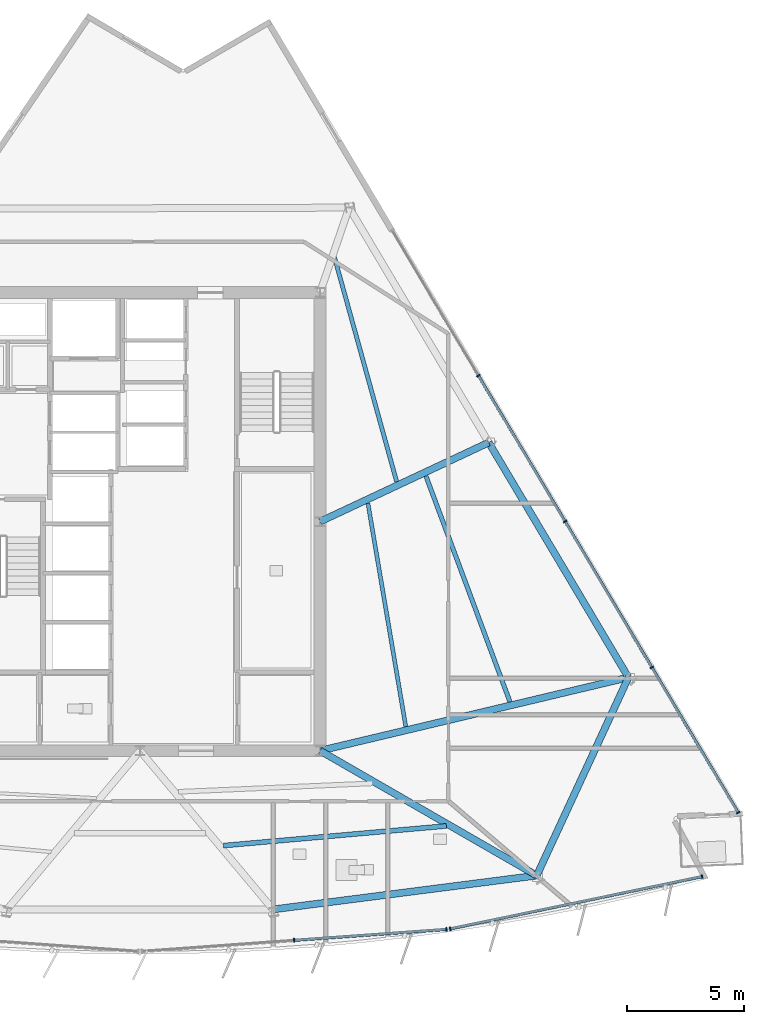
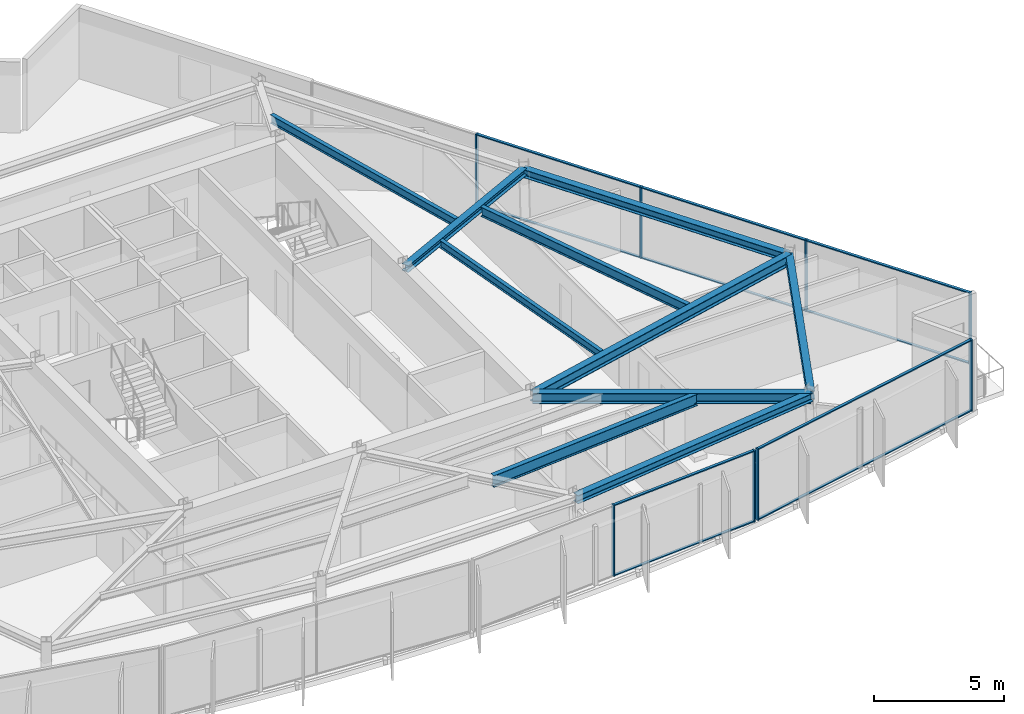
# One storey, part 5 of 15: 18 members, 10 beams, 3 elements without a shape of their own.
"""IFC4 building model written with IfcOpenShell, lengths in metres."""

import ifcopenshell
import ifcopenshell.guid

model = None  # the IFC model being written
_history = None  # IfcOwnerHistory: only IFC2X3 demands one
_inside = {}  # id of a spatial element -> (the spatial element, [elements in it])
_under = {}  # id of a project, library or spatial element -> (it, [spatial elements below it])
_declared = {}  # id of a project -> (the project, [libraries it declares])
_typed = {}  # id of a type object -> (the type object, [elements of that type])
_made_of = {}  # id of a material, layer set ... -> (it, [elements and type objects made of it])


def new_model(schema):
    """Start an empty IFC model of exactly this schema.

    Asked for "IFC4X3", IfcOpenShell would pick the latest addendum, in which some entities
    have other attributes; the version numbers below select the first issue.
    IFC2X3 requires an IfcOwnerHistory on every rooted entity: one is made here for all.
    """
    global model, _history
    if schema == "IFC4X3":
        model = ifcopenshell.file(schema_version=(4, 3, 0, 0))
    else:
        model = ifcopenshell.file(schema=schema)
    _inside.clear()
    _under.clear()
    _declared.clear()
    _typed.clear()
    _made_of.clear()
    _history = None
    if model.schema == "IFC2X3":
        org = make("IfcOrganization", Name="unknown")
        user = make(
            "IfcPersonAndOrganization",
            ThePerson=make("IfcPerson", FamilyName="unknown"),
            TheOrganization=org,
        )
        app = make(
            "IfcApplication",
            ApplicationDeveloper=org,
            Version="unknown",
            ApplicationFullName="unknown",
            ApplicationIdentifier="unknown",
        )
        _history = make(
            "IfcOwnerHistory",
            OwningUser=user,
            OwningApplication=app,
            ChangeAction="ADDED",
            CreationDate=0,
        )
    return model


def make(cls, **values):
    """One entity of the class cls with the attributes given. An attribute that is None is left unset."""
    return model.create_entity(
        cls, **{name: value for name, value in values.items() if value is not None}
    )


def rooted(cls, **values):
    """An entity with a GlobalId (a new one), such as an element, a storey or a relation."""
    return make(cls, GlobalId=ifcopenshell.guid.new(), OwnerHistory=_history, **values)


def si_unit(unit_type, name, prefix=None):
    """IfcSIUnit, for example si_unit("LENGTHUNIT", "METRE", prefix="MILLI")."""
    return make("IfcSIUnit", UnitType=unit_type, Prefix=prefix, Name=name)


def assignment(units):
    """IfcUnitAssignment: the units of a project."""
    return None if units is None else make("IfcUnitAssignment", Units=units)


def point(xyz):
    """IfcCartesianPoint."""
    return None if xyz is None else make("IfcCartesianPoint", Coordinates=xyz)


def direction(xyz):
    """IfcDirection."""
    return None if xyz is None else make("IfcDirection", DirectionRatios=xyz)


def frame(location, z_axis=None, x_axis=None):
    """IfcAxis2Placement3D, a coordinate frame: its origin and axes. An axis left out is left unset."""
    return make(
        "IfcAxis2Placement3D",
        Location=point(location),
        Axis=direction(z_axis),
        RefDirection=direction(x_axis),
    )


def frame_2d(location, x_axis=None):
    """IfcAxis2Placement2D, a coordinate frame in the plane: its origin and x axis."""
    return make(
        "IfcAxis2Placement2D", Location=point(location), RefDirection=direction(x_axis)
    )


def origin():
    """The frame at (0, 0, 0) with its axes left unset."""
    return frame((0.0, 0.0, 0.0))


def origin_2d():
    """The frame at (0, 0) in the plane with its x axis left unset."""
    return frame_2d((0.0, 0.0))


def place(relative_to, where):
    """IfcLocalPlacement: puts the frame where relative to a parent placement (None: the world)."""
    return make(
        "IfcLocalPlacement", PlacementRelTo=relative_to, RelativePlacement=where
    )


def context(
    kind, dimensions, precision=None, world=None, true_north=None, identifier=None
):
    """IfcGeometricRepresentationContext, for example the 3D "Model" context."""
    return make(
        "IfcGeometricRepresentationContext",
        ContextIdentifier=identifier,
        ContextType=kind,
        CoordinateSpaceDimension=dimensions,
        Precision=precision,
        WorldCoordinateSystem=world,
        TrueNorth=true_north,
    )


def subcontext(parent, identifier, kind, view, scale=None):
    """IfcGeometricRepresentationSubContext, for example "Body" below "Model"."""
    return make(
        "IfcGeometricRepresentationSubContext",
        ContextIdentifier=identifier,
        ContextType=kind,
        ParentContext=parent,
        TargetScale=scale,
        TargetView=view,
    )


def project(units=None, contexts=None):
    """IfcProject with its units and contexts."""
    return rooted(
        "IfcProject",
        Name="project",
        RepresentationContexts=contexts,
        UnitsInContext=assignment(units),
    )


def spatial(cls, under=None, at=None, **own):
    """A site, building, storey or space (cls), placed at a placement, below another one or the project."""
    s = rooted(cls, ObjectPlacement=at, **own)
    if under is not None:
        _under.setdefault(under.id(), (under, []))[1].append(s)
    return s


def profile(cls, at=None, kind="AREA", **sizes):
    """A parametric profile (cls). Its sizes go by their IFC names, for example OverallWidth=200.0."""
    return make(cls, ProfileType=kind, Position=at, **sizes)


def rectangle(**sizes):
    """IfcRectangleProfileDef."""
    return profile("IfcRectangleProfileDef", **sizes)


def i_section(**sizes):
    """IfcIShapeProfileDef."""
    return profile("IfcIShapeProfileDef", **sizes)


def extrude(swept, where, along, depth):
    """IfcExtrudedAreaSolid: the profile swept, set in the frame where, extruded along a direction by depth."""
    return make(
        "IfcExtrudedAreaSolid",
        SweptArea=swept,
        Position=where,
        ExtrudedDirection=direction(along),
        Depth=depth,
    )


def shape(context_of_items, identifier, shape_type, items):
    """IfcShapeRepresentation: the items that make up one representation, for example the "Body"."""
    return make(
        "IfcShapeRepresentation",
        ContextOfItems=context_of_items,
        RepresentationIdentifier=identifier,
        RepresentationType=shape_type,
        Items=items,
    )


def material(Name=None, Category=None):
    """IfcMaterial."""
    return make("IfcMaterial", Name=Name, Category=Category)


def material_profile(
    of_material, cross_section, Name=None, Category=None, Priority=None
):
    """IfcMaterialProfile: a cross section and its material."""
    return make(
        "IfcMaterialProfile",
        Name=Name,
        Material=of_material,
        Profile=cross_section,
        Priority=Priority,
        Category=Category,
    )


def profile_set(profiles, Name=None, composite=None):
    """IfcMaterialProfileSet."""
    return make(
        "IfcMaterialProfileSet",
        Name=Name,
        MaterialProfiles=profiles,
        CompositeProfile=composite,
    )


def made_of(thing, what):
    """Note that an element or type object is made of a material, layer set ...; save() writes the relation."""
    if what is not None:
        _made_of.setdefault(what.id(), (what, []))[1].append(thing)
    return thing


def type_object(cls, material=None, **own):
    """A type object (cls), such as IfcWallType, which elements share."""
    return made_of(rooted(cls, **own), material)


def element(
    cls,
    number,
    at=None,
    inside=None,
    cuts=None,
    type_object=None,
    material=None,
    context=None,
    identifier="Body",
    shape_type=None,
    held_by="IfcProductDefinitionShape",
    body=None,
    shapes=None,
    **own,
):
    """One element of the class cls, such as IfcWall. Its Tag is "e" and its number.

    at: its placement. inside: the storey or other place that contains it. cuts: it is an
    opening in that element (IfcRelVoidsElement). A single representation is given by context,
    identifier, shape_type and body (its items); several are given by shapes. held_by: the class
    of the entity that holds the representations. save() writes the other relations.
    """
    e = rooted(cls, Tag="e%d" % number, ObjectPlacement=at, **own)
    if body is not None:
        shapes = [shape(context, identifier, shape_type, body)]
    if shapes is not None:
        e.Representation = make(held_by, Representations=shapes)
    if inside is not None:
        _inside.setdefault(inside.id(), (inside, []))[1].append(e)
    if cuts is not None:
        rooted(
            "IfcRelVoidsElement", RelatingBuildingElement=cuts, RelatedOpeningElement=e
        )
    if type_object is not None:
        _typed.setdefault(type_object.id(), (type_object, []))[1].append(e)
    return made_of(e, material)


def aggregate(whole, parts):
    """IfcRelAggregates: a whole, such as a stair, and the parts it consists of."""
    return rooted("IfcRelAggregates", RelatingObject=whole, RelatedObjects=parts)


def save(model, path):
    """Write the relations noted so far, then the file.

    IfcRelAggregates (storeys below a building ...), IfcRelContainedInSpatialStructure (elements
    in a storey), IfcRelDefinesByType, IfcRelAssociatesMaterial and IfcRelDeclares: one each for
    every whole, place, type object, material and project.
    """
    for whole, parts in _under.values():
        aggregate(whole, parts)
    for where, things in _inside.values():
        rooted(
            "IfcRelContainedInSpatialStructure",
            RelatedElements=things,
            RelatingStructure=where,
        )
    for kind, things in _typed.values():
        rooted("IfcRelDefinesByType", RelatedObjects=things, RelatingType=kind)
    for what, things in _made_of.values():
        rooted("IfcRelAssociatesMaterial", RelatedObjects=things, RelatingMaterial=what)
    for by, libraries in _declared.values():
        rooted("IfcRelDeclares", RelatingContext=by, RelatedDefinitions=libraries)
    model.write(path)


model = new_model("IFC4")

# Units and contexts
model_context = context("Model", 3, precision=1e-05, world=origin(), true_north=direction((0.0, 1.0)))
body_context = subcontext(model_context, "Body", "Model", "MODEL_VIEW")
ifc_project = project(units=[si_unit("LENGTHUNIT", "METRE"), si_unit("AREAUNIT", "SQUARE_METRE"), si_unit("VOLUMEUNIT", "CUBIC_METRE"), si_unit("PLANEANGLEUNIT", "RADIAN"), si_unit("MASSUNIT", "GRAM", prefix="KILO")], contexts=[model_context])

# Site, building, storey
site_placement = place(None, origin())
site = spatial("IfcSite", under=ifc_project, at=site_placement, CompositionType="ELEMENT")
building_placement = place(site_placement, origin())
building = spatial("IfcBuilding", under=site, at=building_placement, Name="Savorim Split Tower", CompositionType="ELEMENT")
storey_placement = place(building_placement, frame((0.0, 0.0, 194.699951171875)))
storey = spatial("IfcBuildingStorey", under=building, at=storey_placement, Name="L51", CompositionType="ELEMENT", Elevation=194.699951171875)

# Beams
ifc_material_1 = material(Name="Steel S355", Category="steel")
ifc_material_profile_1 = material_profile(ifc_material_1, i_section(OverallWidth=0.169921875, OverallDepth=0.360107421875, WebThickness=0.008056640625, FlangeThickness=0.0126953125, FilletRadius=0.01806640625, at=origin_2d()), Name="IPE 360")
ifc_profile_set_1 = profile_set([ifc_material_profile_1], Name="Steel S355")
beam_type_1 = type_object("IfcBeamType", Name="BM-JST-IPE360", PredefinedType="JOIST", material=ifc_profile_set_1)
beam_1_placement = place(storey_placement, frame((11.366455078125, -8.3642578125, 3.170166015625), z_axis=(-0.167119438105, 0.985936657908, 0.0), x_axis=(-0.985936657908, -0.167119438105, 0.0)))
element("IfcBeam", 1, at=beam_1_placement, inside=storey, type_object=beam_type_1, Name="L51 Secondary Floor Joist JS-08", PredefinedType="JOIST", context=body_context, shape_type="SweptSolid", body=[
    extrude(i_section(OverallWidth=0.169921875, OverallDepth=0.360107421875, WebThickness=0.008056640625, FlangeThickness=0.0126953125, FilletRadius=0.01806640625, at=origin_2d()), origin(), (0.0, 0.0, 1.0), 9.68994140625),
])
ifc_material_profile_2 = material_profile(ifc_material_1, i_section(OverallWidth=0.179931640625, OverallDepth=0.39990234375, WebThickness=0.008544921875, FlangeThickness=0.013427734375, FilletRadius=0.02099609375, at=origin_2d()), Name="IPE 400")
ifc_profile_set_2 = profile_set([ifc_material_profile_2], Name="Steel S355")
beam_type_2 = type_object("IfcBeamType", Name="BM-JST-IPE400", PredefinedType="JOIST", material=ifc_profile_set_2)
beam_2_placement = place(storey_placement, frame((10.9765625, 2.110107421875, 3.150146484375), z_axis=(-0.267135971284, 0.963658846712, 0.0), x_axis=(-0.963658846712, -0.267135971284, 0.0)))
element("IfcBeam", 2, at=beam_2_placement, inside=storey, type_object=beam_type_2, Name="L51 Secondary Floor Joist JS-07", PredefinedType="JOIST", context=body_context, shape_type="SweptSolid", body=[
    extrude(i_section(OverallWidth=0.179931640625, OverallDepth=0.39990234375, WebThickness=0.008544921875, FlangeThickness=0.013427734375, FilletRadius=0.02099609375, at=origin_2d()), origin(), (0.0, 0.0, 1.0), 9.96728515625),
])
ifc_material_profile_3 = material_profile(ifc_material_1, i_section(OverallWidth=0.18994140625, OverallDepth=0.449951171875, WebThickness=0.009521484375, FlangeThickness=0.0146484375, FilletRadius=0.02099609375, at=origin_2d()), Name="IPE 450")
ifc_profile_set_3 = profile_set([ifc_material_profile_3], Name="Steel S355")
beam_type_3 = type_object("IfcBeamType", Name="BM-JST-IPE450", PredefinedType="JOIST", material=ifc_profile_set_3)
beam_3_placement = place(storey_placement, frame((15.822021484375, -7.305908203125, 3.125), z_axis=(-0.348792299296, 0.937200049057, 0.0), x_axis=(-0.937200049057, -0.348792299296, 0.0)))
element("IfcBeam", 3, at=beam_3_placement, inside=storey, type_object=beam_type_3, Name="L51 Secondary Floor Joist JS-06", PredefinedType="JOIST", context=body_context, shape_type="SweptSolid", body=[
    extrude(i_section(OverallWidth=0.18994140625, OverallDepth=0.449951171875, WebThickness=0.009521484375, FlangeThickness=0.0146484375, FilletRadius=0.02099609375, at=origin_2d()), origin(), (0.0, 0.0, 1.0), 10.2998046875),
])
ifc_material_profile_4 = material_profile(ifc_material_1, i_section(OverallWidth=0.2099609375, OverallDepth=0.550048828125, WebThickness=0.010986328125, FlangeThickness=0.01708984375, FilletRadius=0.02392578125, at=origin_2d()), Name="IPE 550")
ifc_profile_set_4 = profile_set([ifc_material_profile_4], Name="Steel S355")
beam_type_4 = type_object("IfcBeamType", Name="BM-JST-IPE550", PredefinedType="JOIST", material=ifc_profile_set_4)
beam_4_placement = place(storey_placement, frame((3.571533203125, -13.458984375, 3.074951171875), z_axis=(0.996130441428, 0.087887107475, 0.0), x_axis=(-0.087887107475, 0.996130441428, 0.0)))
element("IfcBeam", 4, at=beam_4_placement, inside=storey, type_object=beam_type_4, Name="L51 Secondary Floor Joist JS-04", PredefinedType="JOIST", context=body_context, shape_type="SweptSolid", body=[
    extrude(i_section(OverallWidth=0.2099609375, OverallDepth=0.550048828125, WebThickness=0.010986328125, FlangeThickness=0.01708984375, FilletRadius=0.02392578125, at=origin_2d()), origin(), (0.0, 0.0, 1.0), 9.567138671875),
])
ifc_material_profile_5 = material_profile(ifc_material_1, i_section(OverallWidth=0.300048828125, OverallDepth=0.320068359375, WebThickness=0.011474609375, FlangeThickness=0.0205078125, FilletRadius=0.027099609375, at=origin_2d()), Name="HEB 320")
ifc_profile_set_5 = profile_set([ifc_material_profile_5], Name="Steel S355")
beam_type_5 = type_object("IfcBeamType", Name="BM-PRI-HEB320", PredefinedType="BEAM", material=ifc_profile_set_5)
beam_5_placement = place(storey_placement, frame((14.915771484375, 3.782470703125, 3.18994140625), z_axis=(-0.905451577508, -0.424449573906, 0.0), x_axis=(0.424449573906, -0.905451577508, 0.0)))
element("IfcBeam", 5, at=beam_5_placement, inside=storey, type_object=beam_type_5, Name="L51 Primary Floor Girder RG-06", PredefinedType="BEAM", context=body_context, shape_type="SweptSolid", body=[
    extrude(i_section(OverallWidth=0.300048828125, OverallDepth=0.320068359375, WebThickness=0.011474609375, FlangeThickness=0.0205078125, FilletRadius=0.027099609375, at=origin_2d()), origin(), (0.0, 0.0, 1.0), 7.96923828125),
])
ifc_material_profile_6 = material_profile(ifc_material_1, i_section(OverallWidth=0.300048828125, OverallDepth=0.5, WebThickness=0.014404296875, FlangeThickness=0.028076171875, FilletRadius=0.027099609375, at=origin_2d()), Name="HEB 500")
ifc_profile_set_6 = profile_set([ifc_material_profile_6], Name="Steel S355")
beam_type_6 = type_object("IfcBeamType", Name="BM-PRI-HEB500", PredefinedType="BEAM", material=ifc_profile_set_6)
beam_6_placement = place(storey_placement, frame((16.96826171875, -14.739990234375, 3.10009765625), z_axis=(-0.866469290322, 0.499230376609, 0.0), x_axis=(-0.499230376609, -0.866469290322, 0.0)))
element("IfcBeam", 6, at=beam_6_placement, inside=storey, type_object=beam_type_6, Name="L51 Primary Floor Girder RG-04", PredefinedType="BEAM", context=body_context, shape_type="SweptSolid", body=[
    extrude(i_section(OverallWidth=0.300048828125, OverallDepth=0.5, WebThickness=0.014404296875, FlangeThickness=0.028076171875, FilletRadius=0.027099609375, at=origin_2d()), origin(), (0.0, 0.0, 1.0), 10.696533203125),
])
beam_7_placement = place(storey_placement, frame((20.889892578125, -6.264404296875, 3.10009765625), z_axis=(-0.972888656455, -0.23127399798, 0.0), x_axis=(0.23127399798, -0.972888656455, 0.0)))
element("IfcBeam", 7, at=beam_7_placement, inside=storey, type_object=beam_type_6, Name="L51 Primary Floor Girder RG-05", PredefinedType="BEAM", context=body_context, shape_type="SweptSolid", body=[
    extrude(i_section(OverallWidth=0.300048828125, OverallDepth=0.5, WebThickness=0.014404296875, FlangeThickness=0.028076171875, FilletRadius=0.027099609375, at=origin_2d()), origin(), (0.0, 0.0, 1.0), 13.5576171875),
])
ifc_material_profile_7 = material_profile(ifc_material_1, i_section(OverallWidth=0.300048828125, OverallDepth=0.389892578125, WebThickness=0.010986328125, FlangeThickness=0.01904296875, FilletRadius=0.027099609375, at=origin_2d()), Name="HEA 400")
ifc_profile_set_7 = profile_set([ifc_material_profile_7], Name="Steel S355")
beam_type_7 = type_object("IfcBeamType", Name="BM-SPN-HEA400", PredefinedType="SPANDREL", material=ifc_profile_set_7)
beam_8_placement = place(storey_placement, frame((5.68701171875, -16.1884765625, 3.155029296875), z_axis=(0.991857557703, 0.127352209354, 0.0), x_axis=(-0.127352209354, 0.991857557703, 0.0)))
element("IfcBeam", 8, at=beam_8_placement, inside=storey, type_object=beam_type_7, Name="L51 Perimeter Spandrel Beam 3", PredefinedType="SPANDREL", context=body_context, shape_type="SweptSolid", body=[
    extrude(i_section(OverallWidth=0.300048828125, OverallDepth=0.389892578125, WebThickness=0.010986328125, FlangeThickness=0.01904296875, FilletRadius=0.027099609375, at=origin_2d()), origin(), (0.0, 0.0, 1.0), 11.373779296875),
])
beam_9_placement = place(storey_placement, frame((16.96826171875, -14.739990234375, 3.155029296875), z_axis=(0.419925020684, 0.907558800852, 0.0), x_axis=(-0.907558800852, 0.419925020684, 0.0)))
element("IfcBeam", 9, at=beam_9_placement, inside=storey, type_object=beam_type_7, Name="L51 Perimeter Spandrel Beam 4", PredefinedType="SPANDREL", context=body_context, shape_type="SweptSolid", body=[
    extrude(i_section(OverallWidth=0.300048828125, OverallDepth=0.389892578125, WebThickness=0.010986328125, FlangeThickness=0.01904296875, FilletRadius=0.027099609375, at=origin_2d()), origin(), (0.0, 0.0, 1.0), 9.3388671875),
])
beam_10_placement = place(storey_placement, frame((20.889892578125, -6.264404296875, 3.155029296875), z_axis=(-0.511094577292, 0.859524480781, 0.0), x_axis=(-0.859524480781, -0.511094577292, 0.0)))
element("IfcBeam", 10, at=beam_10_placement, inside=storey, type_object=beam_type_7, Name="L51 Perimeter Spandrel Beam 5", PredefinedType="SPANDREL", context=body_context, shape_type="SweptSolid", body=[
    extrude(i_section(OverallWidth=0.300048828125, OverallDepth=0.389892578125, WebThickness=0.010986328125, FlangeThickness=0.01904296875, FilletRadius=0.027099609375, at=origin_2d()), origin(), (0.0, 0.0, 1.0), 11.68896484375),
])

# Curtain wall, members
ifc_material_2 = material(Name="Dark Ceramic-Fritted Insulated Glass", Category="glass")
curtain_wall_type = type_object("IfcCurtainWallType", Name="CW-TWR-FRIT-B", PredefinedType="NOTDEFINED", material=ifc_material_2)
curtain_wall_1_placement = place(storey_placement, origin())
curtain_wall_1 = element("IfcCurtainWall", 11, at=curtain_wall_1_placement, inside=storey, type_object=curtain_wall_type, Name="L51 Curtain Wall CW-L51-SF3", PredefinedType="NOTDEFINED")
ifc_material_3 = material(Name="Charcoal Anodised Aluminium", Category="aluminium")
ifc_material_profile_8 = material_profile(ifc_material_3, rectangle(XDim=0.159912109375, YDim=0.06005859375, at=origin_2d()), Name="ALU-M 160x60")
ifc_profile_set_8 = profile_set([ifc_material_profile_8], Name="Charcoal Anodised Aluminium")
member_type_1 = type_object("IfcMemberType", Name="CWM-160x60", PredefinedType="MULLION", material=ifc_profile_set_8)
member_1_placement = place(storey_placement, frame((6.591796875, -17.509033203125, 0.0), z_axis=(0.0, 0.0, 1.0), x_axis=(-0.071561883187, 0.997436161804, 0.0)))
member_1 = element("IfcMember", 12, at=member_1_placement, type_object=member_type_1, Name="CW-03 mullion 2", PredefinedType="MULLION", context=body_context, shape_type="SweptSolid", body=[
    extrude(rectangle(XDim=0.159912109375, YDim=0.06005859375, at=origin_2d()), origin(), (0.0, 0.0, 1.0), 3.35009765625),
])
member_2_placement = place(storey_placement, frame((13.102294921875, -17.0419921875, 0.0), z_axis=(0.0, 0.0, 1.0), x_axis=(-0.071561883187, 0.997436161804, 0.0)))
member_2 = element("IfcMember", 13, at=member_2_placement, type_object=member_type_1, Name="CW-03 mullion 3", PredefinedType="MULLION", context=body_context, shape_type="SweptSolid", body=[
    extrude(rectangle(XDim=0.159912109375, YDim=0.06005859375, at=origin_2d()), origin(), (0.0, 0.0, 1.0), 3.35009765625),
])

curtain_wall_2_placement = place(storey_placement, origin())
curtain_wall_2 = element("IfcCurtainWall", 14, at=curtain_wall_2_placement, inside=storey, type_object=curtain_wall_type, Name="L51 Curtain Wall CW-L51-SF4", PredefinedType="NOTDEFINED")
member_3_placement = place(storey_placement, frame((13.264404296875, -17.01953125, 0.0), z_axis=(0.0, 0.0, 1.0), x_axis=(-0.203207957161, 0.979135601511, 0.0)))
member_3 = element("IfcMember", 15, at=member_3_placement, type_object=member_type_1, Name="CW-03 mullion 1", PredefinedType="MULLION", context=body_context, shape_type="SweptSolid", body=[
    extrude(rectangle(XDim=0.159912109375, YDim=0.06005859375, at=origin_2d()), origin(), (0.0, 0.0, 1.0), 3.35009765625),
])
member_4_placement = place(storey_placement, frame((24.041259765625, -14.782958984375, 0.0), z_axis=(0.0, 0.0, 1.0), x_axis=(-0.203207957161, 0.979135601511, 0.0)))
member_4 = element("IfcMember", 16, at=member_4_placement, type_object=member_type_1, Name="CW-03 mullion 2", PredefinedType="MULLION", context=body_context, shape_type="SweptSolid", body=[
    extrude(rectangle(XDim=0.159912109375, YDim=0.06005859375, at=origin_2d()), origin(), (0.0, 0.0, 1.0), 3.35009765625),
])

curtain_wall_3_placement = place(storey_placement, origin())
curtain_wall_3 = element("IfcCurtainWall", 17, at=curtain_wall_3_placement, inside=storey, type_object=curtain_wall_type, Name="L51 Curtain Wall CW-L51-EAST", PredefinedType="NOTDEFINED")
member_5_placement = place(storey_placement, frame((25.586181640625, -12.04736328125, 0.0), z_axis=(0.0, 0.0, 1.0), x_axis=(-0.859525909056, -0.511092175308, 0.0)))
member_5 = element("IfcMember", 18, at=member_5_placement, type_object=member_type_1, Name="CW-03 mullion 1", PredefinedType="MULLION", context=body_context, shape_type="SweptSolid", body=[
    extrude(rectangle(XDim=0.159912109375, YDim=0.06005859375, at=origin_2d()), origin(), (0.0, 0.0, 1.0), 3.35009765625),
])
member_6_placement = place(storey_placement, frame((21.89208984375, -5.8349609375, 0.0), z_axis=(0.0, 0.0, 1.0), x_axis=(-0.859525909056, -0.511092175308, 0.0)))
member_6 = element("IfcMember", 19, at=member_6_placement, type_object=member_type_1, Name="CW-03 mullion 2", PredefinedType="MULLION", context=body_context, shape_type="SweptSolid", body=[
    extrude(rectangle(XDim=0.159912109375, YDim=0.06005859375, at=origin_2d()), origin(), (0.0, 0.0, 1.0), 3.35009765625),
])
member_7_placement = place(storey_placement, frame((18.1826171875, 0.4033203125, 0.0), z_axis=(0.0, 0.0, 1.0), x_axis=(-0.859525909056, -0.511092175308, 0.0)))
member_7 = element("IfcMember", 20, at=member_7_placement, type_object=member_type_1, Name="CW-03 mullion 3", PredefinedType="MULLION", context=body_context, shape_type="SweptSolid", body=[
    extrude(rectangle(XDim=0.159912109375, YDim=0.06005859375, at=origin_2d()), origin(), (0.0, 0.0, 1.0), 3.35009765625),
])
member_8_placement = place(storey_placement, frame((14.473388671875, 6.641357421875, 0.0), z_axis=(0.0, 0.0, 1.0), x_axis=(-0.859525909056, -0.511092175308, 0.0)))
member_8 = element("IfcMember", 21, at=member_8_placement, type_object=member_type_1, Name="CW-03 mullion 4", PredefinedType="MULLION", context=body_context, shape_type="SweptSolid", body=[
    extrude(rectangle(XDim=0.159912109375, YDim=0.06005859375, at=origin_2d()), origin(), (0.0, 0.0, 1.0), 3.35009765625),
])

# Member
ifc_material_profile_9 = material_profile(ifc_material_3, rectangle(XDim=0.1201171875, YDim=0.050048828125, at=origin_2d()), Name="ALU-T 120x50")
ifc_profile_set_9 = profile_set([ifc_material_profile_9], Name="Charcoal Anodised Aluminium")
member_type_2 = type_object("IfcMemberType", Name="CWT-120x50", PredefinedType="USERDEFINED", material=ifc_profile_set_9)
member_9_placement = place(storey_placement, frame((6.62158203125, -17.507080078125, 0.025146484375), z_axis=(0.997435267849, 0.071574342133, 0.0), x_axis=(-0.071574342133, 0.997435267849, 0.0)))
member_9 = element("IfcMember", 22, at=member_9_placement, type_object=member_type_2, Name="CW-03 transom 2.1", ObjectType="TRANSOM", PredefinedType="USERDEFINED", context=body_context, shape_type="SweptSolid", body=[
    extrude(rectangle(XDim=0.1201171875, YDim=0.050048828125, at=origin_2d()), origin(), (0.0, 0.0, 1.0), 6.46728515625),
])

member_10_placement = place(storey_placement, frame((6.62158203125, -17.507080078125, 3.324951171875), z_axis=(0.997435267849, 0.071574342133, 0.0), x_axis=(-0.071574342133, 0.997435267849, 0.0)))
member_10 = element("IfcMember", 23, at=member_10_placement, type_object=member_type_2, Name="CW-03 transom 2.2", ObjectType="TRANSOM", PredefinedType="USERDEFINED", context=body_context, shape_type="SweptSolid", body=[
    extrude(rectangle(XDim=0.1201171875, YDim=0.050048828125, at=origin_2d()), origin(), (0.0, 0.0, 1.0), 6.46728515625),
])

aggregate(curtain_wall_1, [member_1, member_2, member_9, member_10])

member_11_placement = place(storey_placement, frame((13.293701171875, -17.013427734375, 0.025146484375), z_axis=(0.979137102834, 0.203200723063, 0.0), x_axis=(-0.203200723063, 0.979137102834, 0.0)))
member_11 = element("IfcMember", 24, at=member_11_placement, type_object=member_type_2, Name="CW-03 transom 1.1", ObjectType="TRANSOM", PredefinedType="USERDEFINED", context=body_context, shape_type="SweptSolid", body=[
    extrude(rectangle(XDim=0.1201171875, YDim=0.050048828125, at=origin_2d()), origin(), (0.0, 0.0, 1.0), 10.946533203125),
])

member_12_placement = place(storey_placement, frame((13.293701171875, -17.013427734375, 3.324951171875), z_axis=(0.979137102834, 0.203200723063, 0.0), x_axis=(-0.203200723063, 0.979137102834, 0.0)))
member_12 = element("IfcMember", 25, at=member_12_placement, type_object=member_type_2, Name="CW-03 transom 1.2", ObjectType="TRANSOM", PredefinedType="USERDEFINED", context=body_context, shape_type="SweptSolid", body=[
    extrude(rectangle(XDim=0.1201171875, YDim=0.050048828125, at=origin_2d()), origin(), (0.0, 0.0, 1.0), 10.946533203125),
])

aggregate(curtain_wall_2, [member_3, member_4, member_11, member_12])

member_13_placement = place(storey_placement, frame((25.57080078125, -12.021484375, 0.025146484375), z_axis=(-0.511085594604, 0.859529822047, 0.0), x_axis=(-0.859529822047, -0.511085594604, 0.0)))
member_13 = element("IfcMember", 26, at=member_13_placement, type_object=member_type_2, Name="CW-03 transom 1.1", ObjectType="TRANSOM", PredefinedType="USERDEFINED", context=body_context, shape_type="SweptSolid", body=[
    extrude(rectangle(XDim=0.1201171875, YDim=0.050048828125, at=origin_2d()), origin(), (0.0, 0.0, 1.0), 7.167724609375),
])

member_14_placement = place(storey_placement, frame((25.57080078125, -12.021484375, 3.324951171875), z_axis=(-0.511085594604, 0.859529822047, 0.0), x_axis=(-0.859529822047, -0.511085594604, 0.0)))
member_14 = element("IfcMember", 27, at=member_14_placement, type_object=member_type_2, Name="CW-03 transom 1.2", ObjectType="TRANSOM", PredefinedType="USERDEFINED", context=body_context, shape_type="SweptSolid", body=[
    extrude(rectangle(XDim=0.1201171875, YDim=0.050048828125, at=origin_2d()), origin(), (0.0, 0.0, 1.0), 7.167724609375),
])

member_15_placement = place(storey_placement, frame((21.876708984375, -5.80908203125, 0.025146484375), z_axis=(-0.511099775208, 0.85952138995, 0.0), x_axis=(-0.85952138995, -0.511099775208, 0.0)))
member_15 = element("IfcMember", 28, at=member_15_placement, type_object=member_type_2, Name="CW-03 transom 2.1", ObjectType="TRANSOM", PredefinedType="USERDEFINED", context=body_context, shape_type="SweptSolid", body=[
    extrude(rectangle(XDim=0.1201171875, YDim=0.050048828125, at=origin_2d()), origin(), (0.0, 0.0, 1.0), 7.19775390625),
])

member_16_placement = place(storey_placement, frame((21.876708984375, -5.80908203125, 3.324951171875), z_axis=(-0.511099775208, 0.85952138995, 0.0), x_axis=(-0.85952138995, -0.511099775208, 0.0)))
member_16 = element("IfcMember", 29, at=member_16_placement, type_object=member_type_2, Name="CW-03 transom 2.2", ObjectType="TRANSOM", PredefinedType="USERDEFINED", context=body_context, shape_type="SweptSolid", body=[
    extrude(rectangle(XDim=0.1201171875, YDim=0.050048828125, at=origin_2d()), origin(), (0.0, 0.0, 1.0), 7.19775390625),
])

member_17_placement = place(storey_placement, frame((18.16748046875, 0.428955078125, 0.025146484375), z_axis=(-0.511084874667, 0.859530250129, 0.0), x_axis=(-0.859530250129, -0.511084874667, 0.0)))
member_17 = element("IfcMember", 30, at=member_17_placement, type_object=member_type_2, Name="CW-03 transom 3.1", ObjectType="TRANSOM", PredefinedType="USERDEFINED", context=body_context, shape_type="SweptSolid", body=[
    extrude(rectangle(XDim=0.1201171875, YDim=0.050048828125, at=origin_2d()), origin(), (0.0, 0.0, 1.0), 7.19775390625),
])

member_18_placement = place(storey_placement, frame((18.16748046875, 0.428955078125, 3.324951171875), z_axis=(-0.511084874667, 0.859530250129, 0.0), x_axis=(-0.859530250129, -0.511084874667, 0.0)))
member_18 = element("IfcMember", 31, at=member_18_placement, type_object=member_type_2, Name="CW-03 transom 3.2", ObjectType="TRANSOM", PredefinedType="USERDEFINED", context=body_context, shape_type="SweptSolid", body=[
    extrude(rectangle(XDim=0.1201171875, YDim=0.050048828125, at=origin_2d()), origin(), (0.0, 0.0, 1.0), 7.19775390625),
])

aggregate(curtain_wall_3, [member_5, member_6, member_7, member_8, member_13, member_14, member_15, member_16, member_17, member_18])

save(model, "model.ifc")
